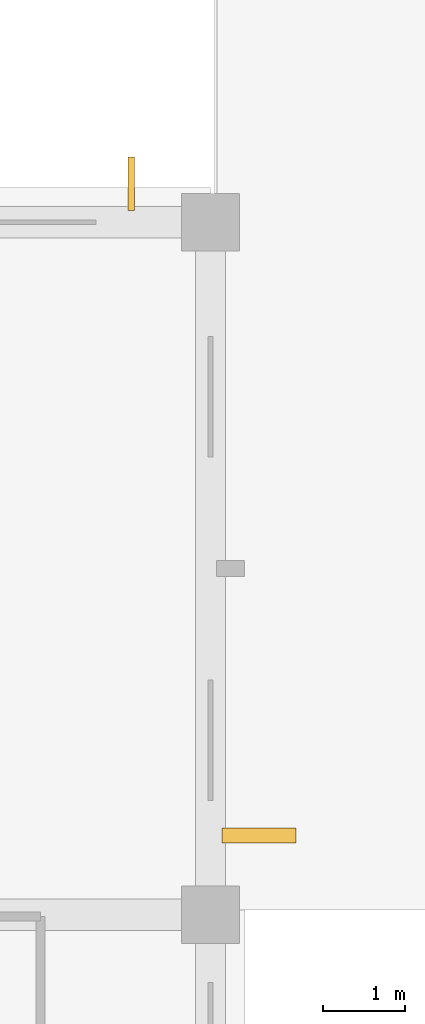
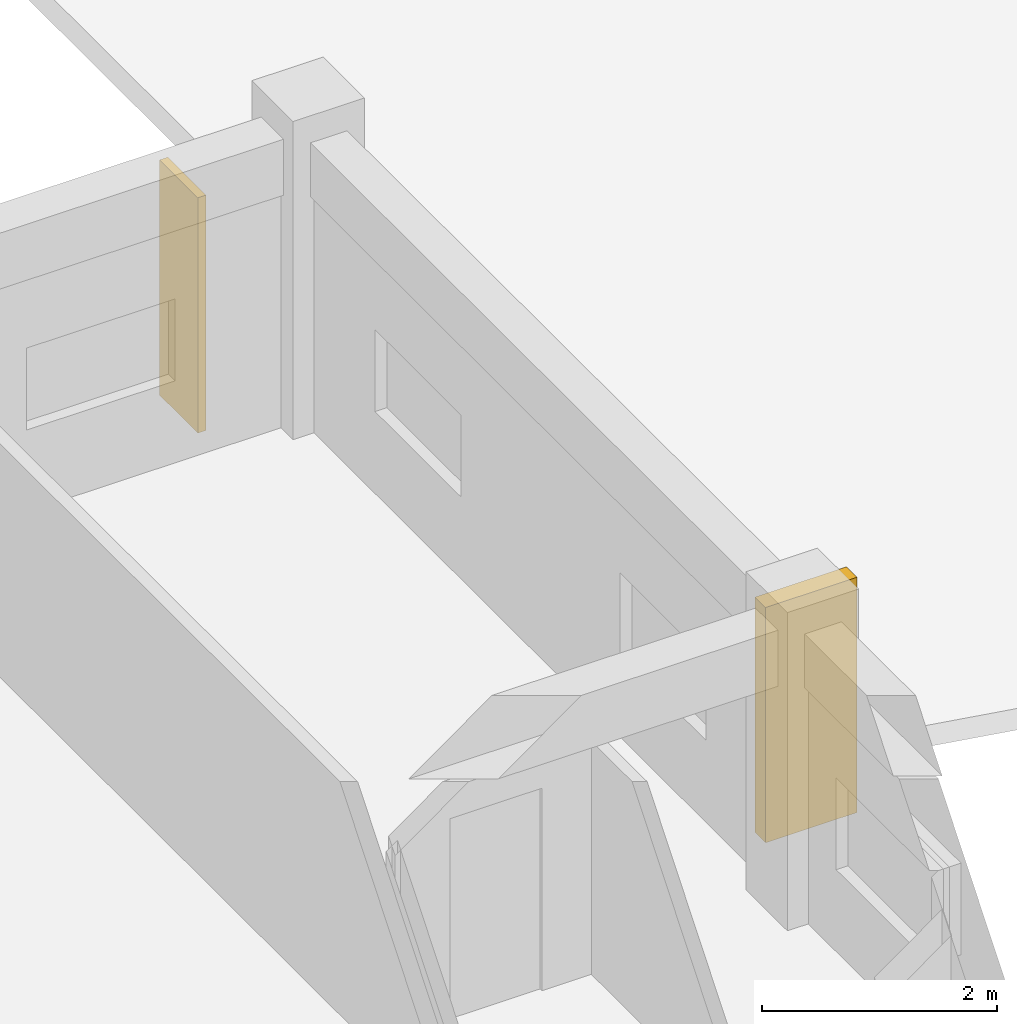
# One storey, part 147 of 148: 2 shading devices.
"""IFC4 building model written with IfcOpenShell, lengths in metres."""

import ifcopenshell
import ifcopenshell.guid

model = None  # the IFC model being written
_history = None  # IfcOwnerHistory: only IFC2X3 demands one
_inside = {}  # id of a spatial element -> (the spatial element, [elements in it])
_under = {}  # id of a project, library or spatial element -> (it, [spatial elements below it])
_declared = {}  # id of a project -> (the project, [libraries it declares])
_typed = {}  # id of a type object -> (the type object, [elements of that type])
_made_of = {}  # id of a material, layer set ... -> (it, [elements and type objects made of it])


def new_model(schema):
    """Start an empty IFC model of exactly this schema.

    Asked for "IFC4X3", IfcOpenShell would pick the latest addendum, in which some entities
    have other attributes; the version numbers below select the first issue.
    IFC2X3 requires an IfcOwnerHistory on every rooted entity: one is made here for all.
    """
    global model, _history
    if schema == "IFC4X3":
        model = ifcopenshell.file(schema_version=(4, 3, 0, 0))
    else:
        model = ifcopenshell.file(schema=schema)
    _inside.clear()
    _under.clear()
    _declared.clear()
    _typed.clear()
    _made_of.clear()
    _history = None
    if model.schema == "IFC2X3":
        org = make("IfcOrganization", Name="unknown")
        user = make(
            "IfcPersonAndOrganization",
            ThePerson=make("IfcPerson", FamilyName="unknown"),
            TheOrganization=org,
        )
        app = make(
            "IfcApplication",
            ApplicationDeveloper=org,
            Version="unknown",
            ApplicationFullName="unknown",
            ApplicationIdentifier="unknown",
        )
        _history = make(
            "IfcOwnerHistory",
            OwningUser=user,
            OwningApplication=app,
            ChangeAction="ADDED",
            CreationDate=0,
        )
    return model


def make(cls, **values):
    """One entity of the class cls with the attributes given. An attribute that is None is left unset."""
    return model.create_entity(
        cls, **{name: value for name, value in values.items() if value is not None}
    )


def rooted(cls, **values):
    """An entity with a GlobalId (a new one), such as an element, a storey or a relation."""
    return make(cls, GlobalId=ifcopenshell.guid.new(), OwnerHistory=_history, **values)


def si_unit(unit_type, name, prefix=None):
    """IfcSIUnit, for example si_unit("LENGTHUNIT", "METRE", prefix="MILLI")."""
    return make("IfcSIUnit", UnitType=unit_type, Prefix=prefix, Name=name)


def assignment(units):
    """IfcUnitAssignment: the units of a project."""
    return None if units is None else make("IfcUnitAssignment", Units=units)


def point(xyz):
    """IfcCartesianPoint."""
    return None if xyz is None else make("IfcCartesianPoint", Coordinates=xyz)


def direction(xyz):
    """IfcDirection."""
    return None if xyz is None else make("IfcDirection", DirectionRatios=xyz)


def frame(location, z_axis=None, x_axis=None):
    """IfcAxis2Placement3D, a coordinate frame: its origin and axes. An axis left out is left unset."""
    return make(
        "IfcAxis2Placement3D",
        Location=point(location),
        Axis=direction(z_axis),
        RefDirection=direction(x_axis),
    )


def frame_2d(location, x_axis=None):
    """IfcAxis2Placement2D, a coordinate frame in the plane: its origin and x axis."""
    return make(
        "IfcAxis2Placement2D", Location=point(location), RefDirection=direction(x_axis)
    )


def origin():
    """The frame at (0, 0, 0) with its axes left unset."""
    return frame((0.0, 0.0, 0.0))


def origin_2d():
    """The frame at (0, 0) in the plane with its x axis left unset."""
    return frame_2d((0.0, 0.0))


def place(relative_to, where):
    """IfcLocalPlacement: puts the frame where relative to a parent placement (None: the world)."""
    return make(
        "IfcLocalPlacement", PlacementRelTo=relative_to, RelativePlacement=where
    )


def context(
    kind, dimensions, precision=None, world=None, true_north=None, identifier=None
):
    """IfcGeometricRepresentationContext, for example the 3D "Model" context."""
    return make(
        "IfcGeometricRepresentationContext",
        ContextIdentifier=identifier,
        ContextType=kind,
        CoordinateSpaceDimension=dimensions,
        Precision=precision,
        WorldCoordinateSystem=world,
        TrueNorth=true_north,
    )


def subcontext(parent, identifier, kind, view, scale=None):
    """IfcGeometricRepresentationSubContext, for example "Body" below "Model"."""
    return make(
        "IfcGeometricRepresentationSubContext",
        ContextIdentifier=identifier,
        ContextType=kind,
        ParentContext=parent,
        TargetScale=scale,
        TargetView=view,
    )


def project(units=None, contexts=None):
    """IfcProject with its units and contexts."""
    return rooted(
        "IfcProject",
        Name="project",
        RepresentationContexts=contexts,
        UnitsInContext=assignment(units),
    )


def spatial(cls, under=None, at=None, **own):
    """A site, building, storey or space (cls), placed at a placement, below another one or the project."""
    s = rooted(cls, ObjectPlacement=at, **own)
    if under is not None:
        _under.setdefault(under.id(), (under, []))[1].append(s)
    return s


def profile(cls, at=None, kind="AREA", **sizes):
    """A parametric profile (cls). Its sizes go by their IFC names, for example OverallWidth=200.0."""
    return make(cls, ProfileType=kind, Position=at, **sizes)


def rectangle(**sizes):
    """IfcRectangleProfileDef."""
    return profile("IfcRectangleProfileDef", **sizes)


def extrude(swept, where, along, depth):
    """IfcExtrudedAreaSolid: the profile swept, set in the frame where, extruded along a direction by depth."""
    return make(
        "IfcExtrudedAreaSolid",
        SweptArea=swept,
        Position=where,
        ExtrudedDirection=direction(along),
        Depth=depth,
    )


def shape(context_of_items, identifier, shape_type, items):
    """IfcShapeRepresentation: the items that make up one representation, for example the "Body"."""
    return make(
        "IfcShapeRepresentation",
        ContextOfItems=context_of_items,
        RepresentationIdentifier=identifier,
        RepresentationType=shape_type,
        Items=items,
    )


def material(Name=None, Category=None):
    """IfcMaterial."""
    return make("IfcMaterial", Name=Name, Category=Category)


def made_of(thing, what):
    """Note that an element or type object is made of a material, layer set ...; save() writes the relation."""
    if what is not None:
        _made_of.setdefault(what.id(), (what, []))[1].append(thing)
    return thing


def type_object(cls, material=None, **own):
    """A type object (cls), such as IfcWallType, which elements share."""
    return made_of(rooted(cls, **own), material)


def element(
    cls,
    number,
    at=None,
    inside=None,
    cuts=None,
    type_object=None,
    material=None,
    context=None,
    identifier="Body",
    shape_type=None,
    held_by="IfcProductDefinitionShape",
    body=None,
    shapes=None,
    **own,
):
    """One element of the class cls, such as IfcWall. Its Tag is "e" and its number.

    at: its placement. inside: the storey or other place that contains it. cuts: it is an
    opening in that element (IfcRelVoidsElement). A single representation is given by context,
    identifier, shape_type and body (its items); several are given by shapes. held_by: the class
    of the entity that holds the representations. save() writes the other relations.
    """
    e = rooted(cls, Tag="e%d" % number, ObjectPlacement=at, **own)
    if body is not None:
        shapes = [shape(context, identifier, shape_type, body)]
    if shapes is not None:
        e.Representation = make(held_by, Representations=shapes)
    if inside is not None:
        _inside.setdefault(inside.id(), (inside, []))[1].append(e)
    if cuts is not None:
        rooted(
            "IfcRelVoidsElement", RelatingBuildingElement=cuts, RelatedOpeningElement=e
        )
    if type_object is not None:
        _typed.setdefault(type_object.id(), (type_object, []))[1].append(e)
    return made_of(e, material)


def aggregate(whole, parts):
    """IfcRelAggregates: a whole, such as a stair, and the parts it consists of."""
    return rooted("IfcRelAggregates", RelatingObject=whole, RelatedObjects=parts)


def save(model, path):
    """Write the relations noted so far, then the file.

    IfcRelAggregates (storeys below a building ...), IfcRelContainedInSpatialStructure (elements
    in a storey), IfcRelDefinesByType, IfcRelAssociatesMaterial and IfcRelDeclares: one each for
    every whole, place, type object, material and project.
    """
    for whole, parts in _under.values():
        aggregate(whole, parts)
    for where, things in _inside.values():
        rooted(
            "IfcRelContainedInSpatialStructure",
            RelatedElements=things,
            RelatingStructure=where,
        )
    for kind, things in _typed.values():
        rooted("IfcRelDefinesByType", RelatedObjects=things, RelatingType=kind)
    for what, things in _made_of.values():
        rooted("IfcRelAssociatesMaterial", RelatedObjects=things, RelatingMaterial=what)
    for by, libraries in _declared.values():
        rooted("IfcRelDeclares", RelatingContext=by, RelatedDefinitions=libraries)
    model.write(path)


model = new_model("IFC4")

# Units and contexts
model_context = context("Model", 3, precision=1e-05, world=origin(), true_north=direction((0.0, 1.0)))
body_context = subcontext(model_context, "Body", "Model", "MODEL_VIEW")
ifc_project = project(units=[si_unit("LENGTHUNIT", "METRE"), si_unit("AREAUNIT", "SQUARE_METRE"), si_unit("VOLUMEUNIT", "CUBIC_METRE"), si_unit("PLANEANGLEUNIT", "RADIAN"), si_unit("MASSUNIT", "GRAM", prefix="KILO")], contexts=[model_context])

# Site, building, storey
site_placement = place(None, origin())
site = spatial("IfcSite", under=ifc_project, at=site_placement, CompositionType="ELEMENT")
building_placement = place(site_placement, origin())
building = spatial("IfcBuilding", under=site, at=building_placement, Name="Trelvath General Hospital", CompositionType="ELEMENT")
storey_placement = place(building_placement, frame((0.0, 0.0, 12.89990234375)))
storey = spatial("IfcBuildingStorey", under=building, at=storey_placement, Name="L03", CompositionType="ELEMENT", Elevation=12.89990234375)

# Shading devices
ifc_material_1 = material(Name="Precast concrete C40/50", Category="concrete")
shading_device_type_1 = type_object("IfcShadingDeviceType", Name="BriseSoleil PrecastFin900", PredefinedType="JALOUSIE", material=ifc_material_1)
shading_device_1_placement = place(storey_placement, frame((134.989990234375, 17.76171875, 0.000244140625), z_axis=(0.0, 0.0, 1.0), x_axis=(1.0, 0.0, 0.0)))
element("IfcShadingDevice", 1, at=shading_device_1_placement, inside=storey, type_object=shading_device_type_1, Name="Solar Brise-Soleil Screen L03-69", PredefinedType="JALOUSIE", context=body_context, shape_type="SweptSolid", body=[
    extrude(rectangle(XDim=0.89990234375, YDim=0.179931640625, at=origin_2d()), origin(), (0.0, 0.0, 1.0), 2.43994140625),
])
ifc_material_2 = material(Name="Anodised aluminium", Category="aluminium")
shading_device_type_2 = type_object("IfcShadingDeviceType", Name="SolarScreen PerforatedAlu", PredefinedType="JALOUSIE", material=ifc_material_2)
shading_device_2_placement = place(storey_placement, frame((133.438232421875, 25.6650390625, 0.000244140625), z_axis=(0.0, 0.0, 1.0), x_axis=(0.0, 1.0, 0.0)))
element("IfcShadingDevice", 2, at=shading_device_2_placement, inside=storey, type_object=shading_device_type_2, Name="Solar Brise-Soleil Screen L03-68", PredefinedType="JALOUSIE", context=body_context, shape_type="SweptSolid", body=[
    extrude(rectangle(XDim=0.64990234375, YDim=0.080078125, at=origin_2d()), origin(), (0.0, 0.0, 1.0), 2.43994140625),
])

save(model, "model.ifc")
